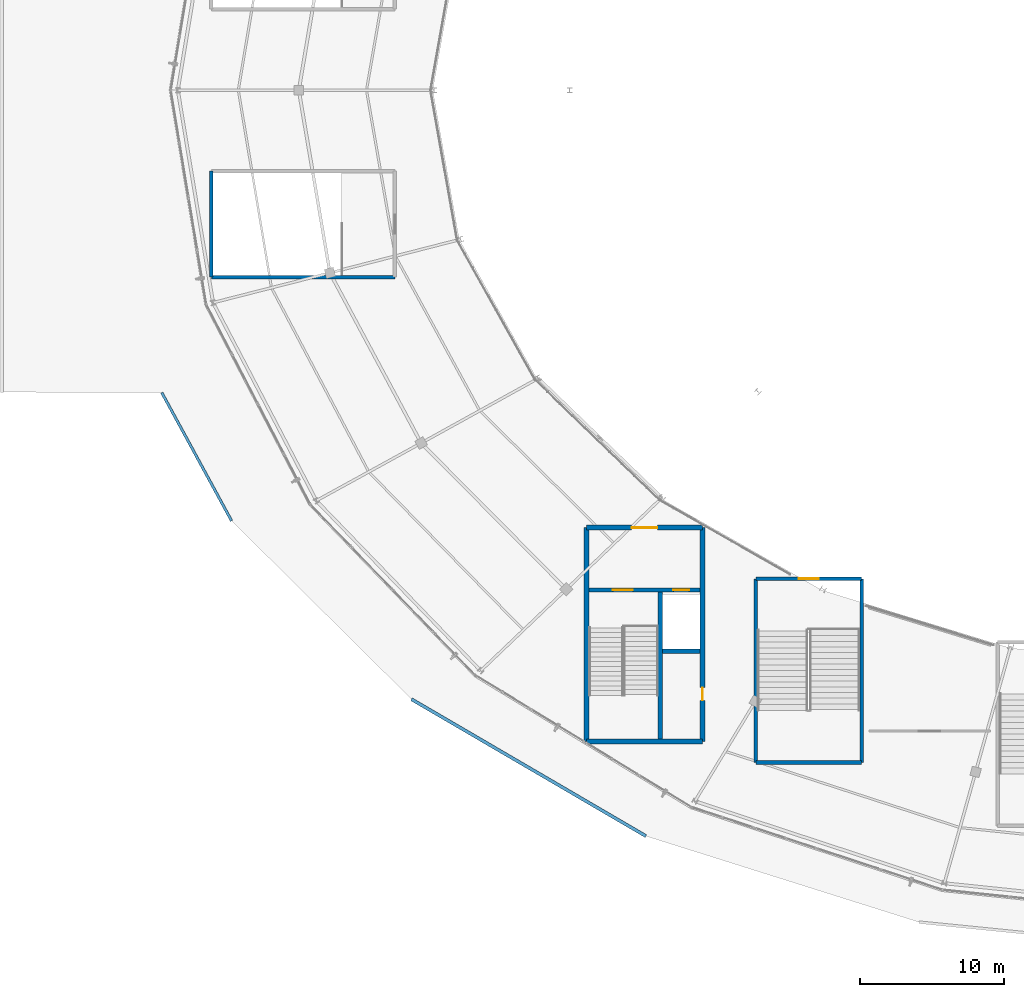
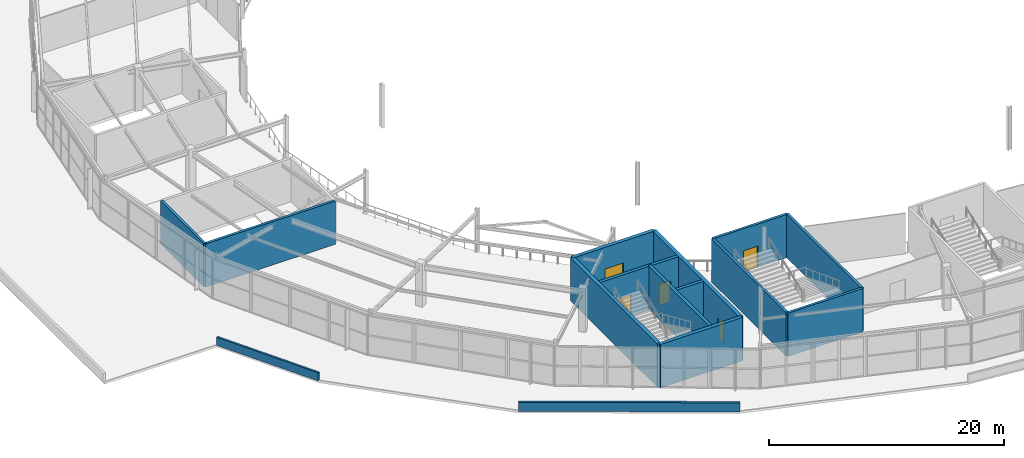
# One storey, part 104 of 126: 15 walls, 5 doors, 5 openings.
"""IFC4 building model written with IfcOpenShell, lengths in metres."""

from ifc_helpers import new_model, si_unit, direction, frame, frame_2d, origin, place, context, subcontext, project, spatial, rectangle, extrude, material, layer, layer_set, type_object, element, fill, save


model = new_model("IFC4")

# Units and contexts
model_context = context("Model", 3, precision=1e-05, world=origin(), true_north=direction((0.0, 1.0)))
body_context = subcontext(model_context, "Body", "Model", "MODEL_VIEW")
ifc_project = project(units=[si_unit("LENGTHUNIT", "METRE"), si_unit("AREAUNIT", "SQUARE_METRE"), si_unit("VOLUMEUNIT", "CUBIC_METRE"), si_unit("PLANEANGLEUNIT", "RADIAN"), si_unit("MASSUNIT", "GRAM", prefix="KILO")], contexts=[model_context])

# Site, building, storey
site_placement = place(None, origin())
site = spatial("IfcSite", under=ifc_project, at=site_placement, CompositionType="ELEMENT")
building_placement = place(site_placement, origin())
building = spatial("IfcBuilding", under=site, at=building_placement, Name="Kalgoora Escarpment Arena", CompositionType="ELEMENT")
storey_placement = place(building_placement, frame((0.0, 0.0, 18.89990234375)))
storey = spatial("IfcBuildingStorey", under=building, at=storey_placement, Name="L04", CompositionType="ELEMENT", Elevation=18.89990234375)

# Wall
ifc_material_1 = material(Name="Concrete N50 (fc' 50 MPa)", Category="concrete")
ifc_layer_1 = layer(ifc_material_1, 0.35009765625)
ifc_layer_set_1 = layer_set([ifc_layer_1], Name="WAL-CORE-350")
wall_type_1 = type_object("IfcWallType", Name="WAL-CORE-350", PredefinedType="SHEAR", material=ifc_layer_set_1)
wall_1_placement = place(storey_placement, frame((48.97509765625, 18.77490234375, 0.0), z_axis=(0.0, 0.0, 1.0), x_axis=(1.0, 0.0, 0.0)))
element("IfcWall", 1, at=wall_1_placement, inside=storey, type_object=wall_type_1, Name="Core C5 L04 south shear wall", PredefinedType="SHEAR", context=body_context, shape_type="SweptSolid", body=[
    extrude(rectangle(XDim=8.0498046875, YDim=0.35009765625, at=frame_2d((4.02490234375, 0.0))), origin(), (0.0, 0.0, 1.0), 4.5),
])

# Wall, opening, door
wall_2_placement = place(storey_placement, frame((48.97509765625, 33.625, 0.0), z_axis=(0.0, 0.0, 1.0), x_axis=(1.0, 0.0, 0.0)))
wall_2 = element("IfcWall", 2, at=wall_2_placement, inside=storey, type_object=wall_type_1, Name="Core C5 L04 north lobby wall", PredefinedType="SHEAR", context=body_context, shape_type="SweptSolid", body=[
    extrude(rectangle(XDim=8.0498046875, YDim=0.35009765625, at=frame_2d((4.02490234375, 0.0))), origin(), (0.0, 0.0, 1.0), 4.5),
])
opening_1_placement = place(wall_2_placement, frame((3.125, 0.0, 0.0)))
opening_1 = element("IfcOpeningElement", 3, at=opening_1_placement, cuts=wall_2, Name="Opening FD-C5L", PredefinedType="OPENING", context=body_context, shape_type="SweptSolid", body=[
    extrude(rectangle(XDim=1.800048828125, YDim=2.25, at=frame_2d((0.89990234375, 1.125))), frame((0.0, 0.18505859375, 0.0), z_axis=(0.0, -1.0, 0.0), x_axis=(1.0, 0.0, 0.0)), (0.0, 0.0, 1.0), 0.3701171875),
])
ifc_material_2 = material(Name="Double fire-rated smoke-seal lobby door")
door_type_1 = type_object("IfcDoorType", Name="DR-LOBBY-1800", OperationType="NOTDEFINED", PredefinedType="DOOR", material=ifc_material_2)
door_1_placement = place(opening_1_placement, origin())
door_1 = element("IfcDoor", 4, at=door_1_placement, inside=storey, type_object=door_type_1, Name="Core C5 L04 smoke-lobby fire door", OperationType="DOUBLE_DOOR_SINGLE_SWING", OverallHeight=2.25, OverallWidth=1.800048828125, PredefinedType="DOOR", context=body_context, shape_type="SweptSolid", body=[
    extrude(rectangle(XDim=1.800048828125, YDim=2.25, at=frame_2d((0.89990234375, 1.125))), frame((0.0, 0.02490234375, 0.0), z_axis=(0.0, -1.0, 0.0), x_axis=(1.0, 0.0, 0.0)), (0.0, 0.0, 1.0), 0.050048828125),
])
fill(opening_1, door_1)

# Wall
wall_3_placement = place(storey_placement, frame((48.97509765625, 18.77490234375, 0.0), z_axis=(0.0, 0.0, 1.0), x_axis=(0.0, 1.0, 0.0)))
element("IfcWall", 5, at=wall_3_placement, inside=storey, type_object=wall_type_1, Name="Core C5 L04 west shear wall", PredefinedType="SHEAR", context=body_context, shape_type="SweptSolid", body=[
    extrude(rectangle(XDim=14.85009765625, YDim=0.35009765625, at=frame_2d((7.425048828125, 0.0))), origin(), (0.0, 0.0, 1.0), 4.5),
])

# Wall, opening, door
wall_4_placement = place(storey_placement, frame((57.02490234375, 18.77490234375, 0.0), z_axis=(0.0, 0.0, 1.0), x_axis=(0.0, 1.0, 0.0)))
wall_4 = element("IfcWall", 6, at=wall_4_placement, inside=storey, type_object=wall_type_1, Name="Core C5 L04 east shear wall", PredefinedType="SHEAR", context=body_context, shape_type="SweptSolid", body=[
    extrude(rectangle(XDim=14.85009765625, YDim=0.35009765625, at=frame_2d((7.425048828125, 0.0))), origin(), (0.0, 0.0, 1.0), 4.5),
])
opening_2_placement = place(wall_4_placement, frame((2.85498046875, 0.0, 0.0)))
opening_2 = element("IfcOpeningElement", 7, at=opening_2_placement, cuts=wall_4, Name="Opening FD-C5R", PredefinedType="OPENING", context=body_context, shape_type="SweptSolid", body=[
    extrude(rectangle(XDim=0.89990234375, YDim=2.10009765625, at=frame_2d((0.449951171875, 1.050048828125))), frame((0.0, 0.18505859375, 0.0), z_axis=(0.0, -1.0, 0.0), x_axis=(1.0, 0.0, 0.0)), (0.0, 0.0, 1.0), 0.3701171875),
])
ifc_material_3 = material(Name="Fire-rated steel riser access door", Category="steel")
door_type_2 = type_object("IfcDoorType", Name="DR-RISER-0900", OperationType="NOTDEFINED", PredefinedType="DOOR", material=ifc_material_3)
door_2_placement = place(opening_2_placement, origin())
door_2 = element("IfcDoor", 8, at=door_2_placement, inside=storey, type_object=door_type_2, Name="Core C5 L04 riser cupboard access door", OperationType="SINGLE_SWING_RIGHT", OverallHeight=2.10009765625, OverallWidth=0.89990234375, PredefinedType="DOOR", context=body_context, shape_type="SweptSolid", body=[
    extrude(rectangle(XDim=0.89990234375, YDim=2.10009765625, at=frame_2d((0.449951171875, 1.050048828125))), frame((0.0, 0.02490234375, 0.0), z_axis=(0.0, -1.0, 0.0), x_axis=(1.0, 0.0, 0.0)), (0.0, 0.0, 1.0), 0.050048828125),
])
fill(opening_2, door_2)

# Walls
ifc_material_4 = material(Name="Stepped ziggurat roof parapet Concrete N40 (fc' 40 MPa)", Category="concrete")
ifc_layer_2 = layer(ifc_material_4, 0.18505859375)
ifc_layer_set_2 = layer_set([ifc_layer_2], Name="WAL-PAR-185")
wall_type_2 = type_object("IfcWallType", Name="WAL-PAR-185", PredefinedType="PARAPET", material=ifc_layer_set_2)
wall_5_placement = place(storey_placement, frame((24.330322265625, 34.10009765625, 0.0), z_axis=(0.0, 0.0, 1.0), x_axis=(-0.478164962559, 0.878270043085, 0.0)))
element("IfcWall", 9, at=wall_5_placement, inside=storey, type_object=wall_type_2, Name="L04 stepped ziggurat limestone parapet 020", PredefinedType="PARAPET", context=body_context, shape_type="SweptSolid", body=[
    extrude(rectangle(XDim=10.133544921875, YDim=0.18505859375, at=frame_2d((5.06689453125, 0.0))), origin(), (0.0, 0.0, 1.0), 0.85009765625),
])
ifc_material_5 = material(Name="Precast limestone coping parapet Concrete N40 (fc' 40 MPa)", Category="masonry")
ifc_layer_3 = layer(ifc_material_5, 0.22509765625)
ifc_layer_set_3 = layer_set([ifc_layer_3], Name="WAL-PAR-225")
wall_type_3 = type_object("IfcWallType", Name="WAL-PAR-225", PredefinedType="PARAPET", material=ifc_layer_set_3)
wall_6_placement = place(storey_placement, frame((53.10009765625, 12.211669921875, 0.0), z_axis=(0.0, 0.0, 1.0), x_axis=(-0.863606919147, 0.504165735846, 0.0)))
element("IfcWall", 10, at=wall_6_placement, inside=storey, type_object=wall_type_3, Name="L04 stepped ziggurat limestone parapet 019", PredefinedType="PARAPET", context=body_context, shape_type="SweptSolid", body=[
    extrude(rectangle(XDim=18.849853515625, YDim=0.22509765625, at=frame_2d((9.4248046875, 0.0))), origin(), (0.0, 0.0, 1.0), 0.9501953125),
])

# Wall, openings, doors
ifc_material_6 = material(Name="Concrete N50 (fc' 50 MPa)", Category="concrete")
ifc_layer_4 = layer(ifc_material_6, 0.300048828125)
ifc_layer_set_4 = layer_set([ifc_layer_4], Name="WAL-SHAFT-300")
wall_type_4 = type_object("IfcWallType", Name="WAL-SHAFT-300", PredefinedType="SHEAR", material=ifc_layer_set_4)
wall_7_placement = place(storey_placement, frame((49.14990234375, 29.300048828125, 0.0), z_axis=(0.0, 0.0, 1.0), x_axis=(1.0, 0.0, 0.0)))
wall_7 = element("IfcWall", 11, at=wall_7_placement, inside=storey, type_object=wall_type_4, Name="Core C5 L04 lobby shaft wall", PredefinedType="SHEAR", context=body_context, shape_type="SweptSolid", body=[
    extrude(rectangle(XDim=7.7001953125, YDim=0.300048828125, at=frame_2d((3.85009765625, 0.0))), origin(), (0.0, 0.0, 1.0), 4.5),
])
opening_3_placement = place(wall_7_placement, frame((1.64990234375, 0.0, 0.0)))
opening_3 = element("IfcOpeningElement", 12, at=opening_3_placement, cuts=wall_7, Name="Opening FD-ST05", PredefinedType="OPENING", context=body_context, shape_type="SweptSolid", body=[
    extrude(rectangle(XDim=1.39990234375, YDim=2.199951171875, at=frame_2d((0.699951171875, 1.10009765625))), frame((0.0, 0.159912109375, 0.0), z_axis=(0.0, -1.0, 0.0), x_axis=(1.0, 0.0, 0.0)), (0.0, 0.0, 1.0), 0.320068359375),
])
opening_4_placement = place(wall_7_placement, frame((5.85009765625, 0.0, 0.0)))
opening_4 = element("IfcOpeningElement", 13, at=opening_4_placement, cuts=wall_7, Name="Opening LD-PL3", PredefinedType="OPENING", context=body_context, shape_type="SweptSolid", body=[
    extrude(rectangle(XDim=1.10009765625, YDim=2.199951171875, at=frame_2d((0.550048828125, 1.10009765625))), frame((0.0, 0.159912109375, 0.0), z_axis=(0.0, -1.0, 0.0), x_axis=(1.0, 0.0, 0.0)), (0.0, 0.0, 1.0), 0.320068359375),
])
ifc_material_7 = material(Name="Brushed stainless steel sliding lift landing door", Category="steel")
door_type_3 = type_object("IfcDoorType", Name="DR-LD-PL3", OperationType="SLIDING_TO_LEFT", PredefinedType="DOOR", material=ifc_material_7)
door_3_placement = place(opening_4_placement, origin())
door_3 = element("IfcDoor", 14, at=door_3_placement, inside=storey, type_object=door_type_3, Name="Lift PL3 L04 sliding landing door", OperationType="SLIDING_TO_LEFT", OverallHeight=2.199951171875, OverallWidth=1.10009765625, PredefinedType="DOOR", context=body_context, shape_type="SweptSolid", body=[
    extrude(rectangle(XDim=1.10009765625, YDim=2.199951171875, at=frame_2d((0.550048828125, 1.10009765625))), frame((0.0, 0.02490234375, 0.0), z_axis=(0.0, -1.0, 0.0), x_axis=(1.0, 0.0, 0.0)), (0.0, 0.0, 1.0), 0.050048828125),
])
fill(opening_4, door_3)
ifc_material_8 = material(Name="Fire-rated steel stair leaf with vision panel", Category="steel")
door_type_4 = type_object("IfcDoorType", Name="DR-STAIR-1400", OperationType="NOTDEFINED", PredefinedType="DOOR", material=ifc_material_8)
door_4_placement = place(opening_3_placement, origin())
door_4 = element("IfcDoor", 15, at=door_4_placement, inside=storey, type_object=door_type_4, Name="Fire stair ST05 L04 fire door", OperationType="SINGLE_SWING_LEFT", OverallHeight=2.199951171875, OverallWidth=1.39990234375, PredefinedType="DOOR", context=body_context, shape_type="SweptSolid", body=[
    extrude(rectangle(XDim=1.39990234375, YDim=2.199951171875, at=frame_2d((0.699951171875, 1.10009765625))), frame((0.0, 0.02490234375, 0.0), z_axis=(0.0, -1.0, 0.0), x_axis=(1.0, 0.0, 0.0)), (0.0, 0.0, 1.0), 0.050048828125),
])
fill(opening_3, door_4)

# Walls
wall_8_placement = place(storey_placement, frame((54.10009765625, 18.949951171875, 0.0), z_axis=(0.0, 0.0, 1.0), x_axis=(0.0, 1.0, 0.0)))
element("IfcWall", 16, at=wall_8_placement, inside=storey, type_object=wall_type_4, Name="Core C5 L04 stair-lift spine wall", PredefinedType="SHEAR", context=body_context, shape_type="SweptSolid", body=[
    extrude(rectangle(XDim=10.35009765625, YDim=0.300048828125, at=frame_2d((5.175048828125, 0.0))), origin(), (0.0, 0.0, 1.0), 4.5),
])
wall_9_placement = place(storey_placement, frame((54.25, 25.050048828125, 0.0), z_axis=(0.0, 0.0, 1.0), x_axis=(1.0, 0.0, 0.0)))
element("IfcWall", 17, at=wall_9_placement, inside=storey, type_object=wall_type_4, Name="Core C5 L04 lift-riser divider wall", PredefinedType="SHEAR", context=body_context, shape_type="SweptSolid", body=[
    extrude(rectangle(XDim=2.60009765625, YDim=0.300048828125, at=frame_2d((1.300048828125, 0.0))), origin(), (0.0, 0.0, 1.0), 4.5),
])
ifc_material_9 = material(Name="Concrete N50 (fc' 50 MPa)", Category="concrete")
ifc_layer_5 = layer(ifc_material_9, 0.25)
ifc_layer_set_5 = layer_set([ifc_layer_5], Name="WAL-STAIR-250")
wall_type_5 = type_object("IfcWallType", Name="WAL-STAIR-250", PredefinedType="SHEAR", material=ifc_layer_set_5)
wall_10_placement = place(storey_placement, frame((60.72509765625, 17.324951171875, 0.0), z_axis=(0.0, 0.0, 1.0), x_axis=(1.0, 0.0, 0.0)))
element("IfcWall", 18, at=wall_10_placement, inside=storey, type_object=wall_type_5, Name="Exit stair ST13 L04 south wall", PredefinedType="SHEAR", context=body_context, shape_type="SweptSolid", body=[
    extrude(rectangle(XDim=7.349853515625, YDim=0.25, at=frame_2d((3.6748046875, 0.0))), origin(), (0.0, 0.0, 1.0), 4.5),
])

# Wall, opening, door
wall_11_placement = place(storey_placement, frame((60.72509765625, 30.074951171875, 0.0), z_axis=(0.0, 0.0, 1.0), x_axis=(1.0, 0.0, 0.0)))
wall_11 = element("IfcWall", 19, at=wall_11_placement, inside=storey, type_object=wall_type_5, Name="Exit stair ST13 L04 north wall", PredefinedType="SHEAR", context=body_context, shape_type="SweptSolid", body=[
    extrude(rectangle(XDim=7.349853515625, YDim=0.25, at=frame_2d((3.6748046875, 0.0))), origin(), (0.0, 0.0, 1.0), 4.5),
])
opening_5_placement = place(wall_11_placement, frame((2.97509765625, 0.0, 0.0)))
opening_5 = element("IfcOpeningElement", 20, at=opening_5_placement, cuts=wall_11, Name="Opening FD-ST13", PredefinedType="OPENING", context=body_context, shape_type="SweptSolid", body=[
    extrude(rectangle(XDim=1.39990234375, YDim=2.199951171875, at=frame_2d((0.699951171875, 1.10009765625))), frame((0.0, 0.135009765625, 0.0), z_axis=(0.0, -1.0, 0.0), x_axis=(1.0, 0.0, 0.0)), (0.0, 0.0, 1.0), 0.27001953125),
])
door_5_placement = place(opening_5_placement, origin())
door_5 = element("IfcDoor", 21, at=door_5_placement, inside=storey, type_object=door_type_4, Name="Fire-isolated stair ST13 L04 egress door", OperationType="SINGLE_SWING_LEFT", OverallHeight=2.199951171875, OverallWidth=1.39990234375, PredefinedType="DOOR", context=body_context, shape_type="SweptSolid", body=[
    extrude(rectangle(XDim=1.39990234375, YDim=2.199951171875, at=frame_2d((0.699951171875, 1.10009765625))), frame((0.0, 0.02490234375, 0.0), z_axis=(0.0, -1.0, 0.0), x_axis=(1.0, 0.0, 0.0)), (0.0, 0.0, 1.0), 0.050048828125),
])
fill(opening_5, door_5)

# Walls
for number, where, z_axis, x_axis, name in (
    (22, (60.72509765625, 17.324951171875, 0.0), (0.0, 0.0, 1.0), (0.0, 1.0, 0.0), "Exit stair ST13 L04 west wall"),
    (23, (68.074951171875, 17.324951171875, 0.0), (0.0, 0.0, 1.0), (0.0, 1.0, 0.0), "Exit stair ST13 L04 east wall"),
    (24, (22.925048828125, 51.02490234375, 0.0), (0.0, 0.0, 1.0), (1.0, 0.0, 0.0), "Exit stair ST18 L04 south wall"),
):
    element("IfcWall", number, at=place(storey_placement, frame(where, z_axis=z_axis, x_axis=x_axis)), inside=storey, type_object=wall_type_5, Name=name, PredefinedType="SHEAR", context=body_context, shape_type="SweptSolid", body=[
        extrude(rectangle(XDim=12.75, YDim=0.25, at=frame_2d((6.375, 0.0))), origin(), (0.0, 0.0, 1.0), 4.5),
    ])
wall_12_placement = place(storey_placement, frame((22.925048828125, 51.02490234375, 0.0), z_axis=(0.0, 0.0, 1.0), x_axis=(0.0, 1.0, 0.0)))
element("IfcWall", 25, at=wall_12_placement, inside=storey, type_object=wall_type_5, Name="Exit stair ST18 L04 west wall", PredefinedType="SHEAR", context=body_context, shape_type="SweptSolid", body=[
    extrude(rectangle(XDim=7.35009765625, YDim=0.25, at=frame_2d((3.675048828125, 0.0))), origin(), (0.0, 0.0, 1.0), 4.5),
])

save(model, "model.ifc")
